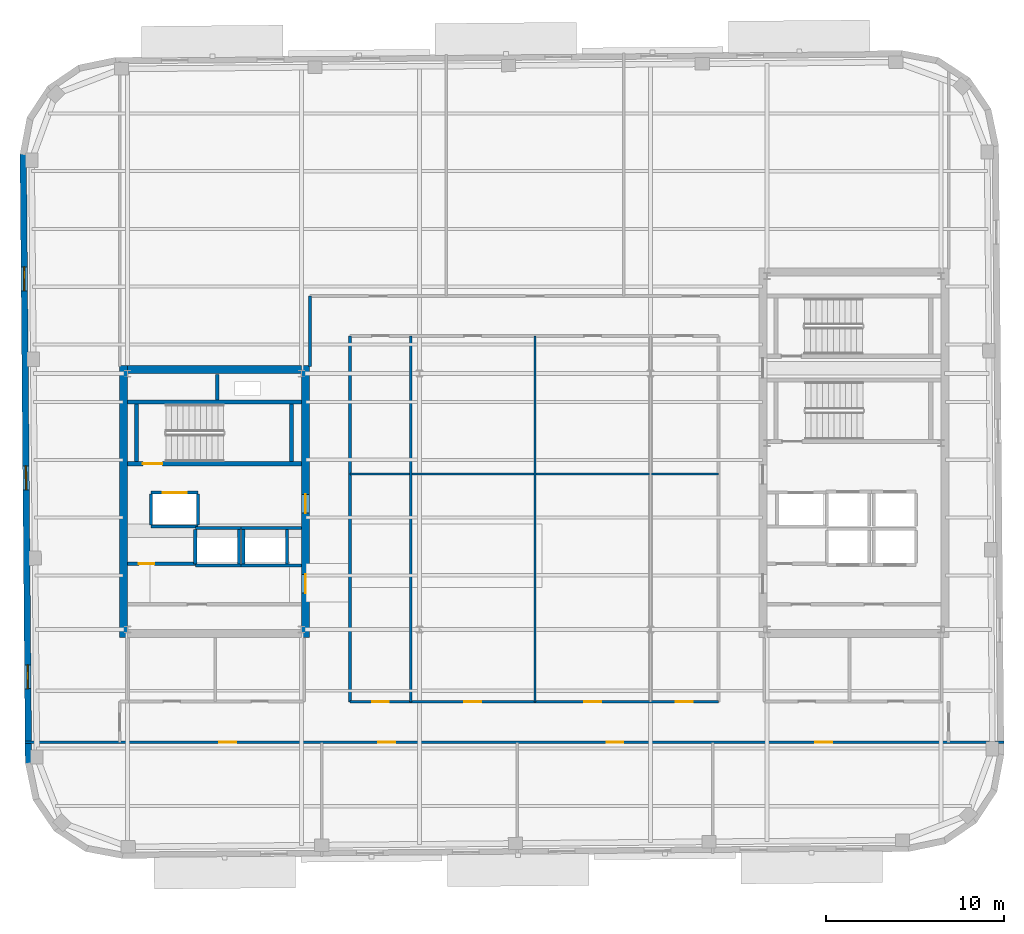
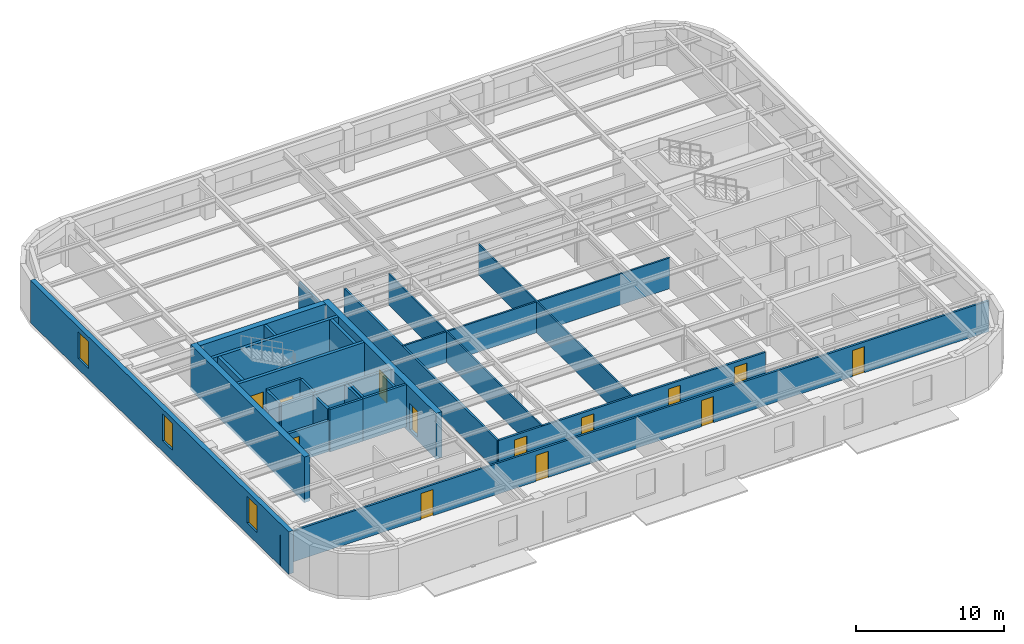
# One storey, part 7 of 14: 29 walls, 13 doors, 3 windows, 16 openings.
"""IFC4 building model written with IfcOpenShell, lengths in metres."""

from ifc_helpers import new_model, si_unit, direction, frame, frame_2d, origin, place, context, subcontext, project, spatial, rectangle, extrude, material, layer, layer_set, type_object, element, fill, save


model = new_model("IFC4")

# Units and contexts
model_context = context("Model", 3, precision=1e-05, world=origin(), true_north=direction((0.0, 1.0)))
body_context = subcontext(model_context, "Body", "Model", "MODEL_VIEW")
ifc_project = project(units=[si_unit("LENGTHUNIT", "METRE"), si_unit("AREAUNIT", "SQUARE_METRE"), si_unit("VOLUMEUNIT", "CUBIC_METRE"), si_unit("PLANEANGLEUNIT", "RADIAN"), si_unit("MASSUNIT", "GRAM", prefix="KILO")], contexts=[model_context])

# Site, building, storey
site_placement = place(None, origin())
site = spatial("IfcSite", under=ifc_project, at=site_placement, CompositionType="ELEMENT")
building_placement = place(site_placement, origin())
building = spatial("IfcBuilding", under=site, at=building_placement, Name="Kolvaren Arena Tower", CompositionType="ELEMENT")
storey_placement = place(building_placement, frame((0.0, 0.0, 289.89990234375)))
storey = spatial("IfcBuildingStorey", under=building, at=storey_placement, Name="L71", CompositionType="ELEMENT", Elevation=289.89990234375)

# Wall, openings, doors
ifc_material_1 = material(Name="Gypsum board acoustic assembly", Category="gypsum")
ifc_layer_1 = layer(ifc_material_1, 0.159912109375)
ifc_layer_set_1 = layer_set([ifc_layer_1], Name="Gypsum board acoustic assembly")
wall_type_1 = type_object("IfcWallType", Name="CORR-160", PredefinedType="PARTITIONING", material=ifc_layer_set_1)
wall_1_placement = place(storey_placement, frame((8.790283203125, 13.10009765625, 0.0), z_axis=(0.0, 0.0, 1.0), x_axis=(1.0, 0.0, 0.0)))
wall_1 = element("IfcWall", 1, at=wall_1_placement, inside=storey, type_object=wall_type_1, Name="Interior Partition Wall (L71)", PredefinedType="PARTITIONING", context=body_context, shape_type="SweptSolid", body=[
    extrude(rectangle(XDim=55.10205078125, YDim=0.159912109375, at=frame_2d((27.551025390625, 0.0))), origin(), (0.0, 0.0, 1.0), 2.5400390625),
])
opening_1_placement = place(wall_1_placement, frame((10.934814453125, 0.0, 0.0)))
opening_1 = element("IfcOpeningElement", 2, at=opening_1_placement, cuts=wall_1, Name="Opening D05", PredefinedType="OPENING", context=body_context, shape_type="SweptSolid", body=[
    extrude(rectangle(XDim=0.949951171875, YDim=2.14990234375, at=frame_2d((0.47509765625, 1.074951171875))), frame((0.0, 0.08984375, 0.0), z_axis=(0.0, -1.0, 0.0), x_axis=(1.0, 0.0, 0.0)), (0.0, 0.0, 1.0), 0.179931640625),
])
opening_2_placement = place(wall_1_placement, frame((19.884765625, 0.0, 0.0)))
opening_2 = element("IfcOpeningElement", 3, at=opening_2_placement, cuts=wall_1, Name="Opening D05", PredefinedType="OPENING", context=body_context, shape_type="SweptSolid", body=[
    extrude(rectangle(XDim=0.949951171875, YDim=2.14990234375, at=frame_2d((0.47509765625, 1.074951171875))), frame((0.0, 0.08984375, 0.0), z_axis=(0.0, -1.0, 0.0), x_axis=(1.0, 0.0, 0.0)), (0.0, 0.0, 1.0), 0.179931640625),
])
opening_3_placement = place(wall_1_placement, frame((32.734619140625, 0.0, 0.0)))
opening_3 = element("IfcOpeningElement", 4, at=opening_3_placement, cuts=wall_1, Name="Opening D05", PredefinedType="OPENING", context=body_context, shape_type="SweptSolid", body=[
    extrude(rectangle(XDim=0.949951171875, YDim=2.14990234375, at=frame_2d((0.47509765625, 1.074951171875))), frame((0.0, 0.08984375, 0.0), z_axis=(0.0, -1.0, 0.0), x_axis=(1.0, 0.0, 0.0)), (0.0, 0.0, 1.0), 0.179931640625),
])
opening_4_placement = place(wall_1_placement, frame((44.484619140625, 0.0, 0.0)))
opening_4 = element("IfcOpeningElement", 5, at=opening_4_placement, cuts=wall_1, Name="Opening D05", PredefinedType="OPENING", context=body_context, shape_type="SweptSolid", body=[
    extrude(rectangle(XDim=0.949951171875, YDim=2.14990234375, at=frame_2d((0.47509765625, 1.074951171875))), frame((0.0, 0.08984375, 0.0), z_axis=(0.0, -1.0, 0.0), x_axis=(1.0, 0.0, 0.0)), (0.0, 0.0, 1.0), 0.179931640625),
])
ifc_material_2 = material(Name="Solid-core oak acoustic office door", Category="wood")
door_type_1 = type_object("IfcDoorType", Name="DOOR-OF-095", OperationType="NOTDEFINED", PredefinedType="DOOR", material=ifc_material_2)
door_1_placement = place(opening_1_placement, origin())
door_1 = element("IfcDoor", 6, at=door_1_placement, inside=storey, type_object=door_type_1, Name="Open Plan Office Door (L71)", OperationType="SINGLE_SWING_LEFT", OverallHeight=2.14990234375, OverallWidth=0.949951171875, PredefinedType="DOOR", context=body_context, shape_type="SweptSolid", body=[
    extrude(rectangle(XDim=0.949951171875, YDim=2.14990234375, at=frame_2d((0.47509765625, 1.074951171875))), frame((0.0, 0.02490234375, 0.0), z_axis=(0.0, -1.0, 0.0), x_axis=(1.0, 0.0, 0.0)), (0.0, 0.0, 1.0), 0.050048828125),
])
fill(opening_1, door_1)
door_2_placement = place(opening_2_placement, origin())
door_2 = element("IfcDoor", 7, at=door_2_placement, inside=storey, type_object=door_type_1, Name="Open Plan Office Door (L71)", OperationType="SINGLE_SWING_RIGHT", OverallHeight=2.14990234375, OverallWidth=0.949951171875, PredefinedType="DOOR", context=body_context, shape_type="SweptSolid", body=[
    extrude(rectangle(XDim=0.949951171875, YDim=2.14990234375, at=frame_2d((0.47509765625, 1.074951171875))), frame((0.0, 0.02490234375, 0.0), z_axis=(0.0, -1.0, 0.0), x_axis=(1.0, 0.0, 0.0)), (0.0, 0.0, 1.0), 0.050048828125),
])
fill(opening_2, door_2)
door_3_placement = place(opening_3_placement, origin())
door_3 = element("IfcDoor", 8, at=door_3_placement, inside=storey, type_object=door_type_1, Name="Copy and Print Room Door (L71)", OperationType="SINGLE_SWING_LEFT", OverallHeight=2.14990234375, OverallWidth=0.949951171875, PredefinedType="DOOR", context=body_context, shape_type="SweptSolid", body=[
    extrude(rectangle(XDim=0.949951171875, YDim=2.14990234375, at=frame_2d((0.47509765625, 1.074951171875))), frame((0.0, 0.02490234375, 0.0), z_axis=(0.0, -1.0, 0.0), x_axis=(1.0, 0.0, 0.0)), (0.0, 0.0, 1.0), 0.050048828125),
])
fill(opening_3, door_3)
door_4_placement = place(opening_4_placement, origin())
door_4 = element("IfcDoor", 9, at=door_4_placement, inside=storey, type_object=door_type_1, Name="Design Studio Door (L71)", OperationType="SINGLE_SWING_RIGHT", OverallHeight=2.14990234375, OverallWidth=0.949951171875, PredefinedType="DOOR", context=body_context, shape_type="SweptSolid", body=[
    extrude(rectangle(XDim=0.949951171875, YDim=2.14990234375, at=frame_2d((0.47509765625, 1.074951171875))), frame((0.0, 0.02490234375, 0.0), z_axis=(0.0, -1.0, 0.0), x_axis=(1.0, 0.0, 0.0)), (0.0, 0.0, 1.0), 0.050048828125),
])
fill(opening_4, door_4)

# Wall
wall_2_placement = place(storey_placement, frame((24.820068359375, 34.25, 0.0), z_axis=(0.0, 0.0, 1.0), x_axis=(0.0, 1.0, 0.0)))
element("IfcWall", 10, at=wall_2_placement, inside=storey, type_object=wall_type_1, Name="Interior Partition Wall (L71)", PredefinedType="PARTITIONING", context=body_context, shape_type="SweptSolid", body=[
    extrude(rectangle(XDim=3.969970703125, YDim=0.159912109375, at=frame_2d((1.98486328125, 0.0))), origin(), (0.0, 0.0, 1.0), 2.5400390625),
])

# Wall, openings, doors
wall_3_placement = place(storey_placement, frame((27.080078125, 15.3798828125, 0.0), z_axis=(0.0, 0.0, 1.0), x_axis=(1.0, 0.0, 0.0)))
wall_3 = element("IfcWall", 11, at=wall_3_placement, inside=storey, type_object=wall_type_1, Name="Interior Partition Wall (L71)", PredefinedType="PARTITIONING", context=body_context, shape_type="SweptSolid", body=[
    extrude(rectangle(XDim=20.739990234375, YDim=0.159912109375, at=frame_2d((10.3701171875, 0.0))), origin(), (0.0, 0.0, 1.0), 2.5400390625),
])
opening_5_placement = place(wall_3_placement, frame((1.2451171875, 0.0, 0.0)))
opening_5 = element("IfcOpeningElement", 12, at=opening_5_placement, cuts=wall_3, Name="Opening D05", PredefinedType="OPENING", context=body_context, shape_type="SweptSolid", body=[
    extrude(rectangle(XDim=0.949951171875, YDim=2.14990234375, at=frame_2d((0.47509765625, 1.074951171875))), frame((0.0, 0.08984375, 0.0), z_axis=(0.0, -1.0, 0.0), x_axis=(1.0, 0.0, 0.0)), (0.0, 0.0, 1.0), 0.179931640625),
])
opening_6_placement = place(wall_3_placement, frame((6.445068359375, 0.0, 0.0)))
opening_6 = element("IfcOpeningElement", 13, at=opening_6_placement, cuts=wall_3, Name="Opening D05", PredefinedType="OPENING", context=body_context, shape_type="SweptSolid", body=[
    extrude(rectangle(XDim=0.949951171875, YDim=2.14990234375, at=frame_2d((0.47509765625, 1.074951171875))), frame((0.0, 0.08984375, 0.0), z_axis=(0.0, -1.0, 0.0), x_axis=(1.0, 0.0, 0.0)), (0.0, 0.0, 1.0), 0.179931640625),
])
opening_7_placement = place(wall_3_placement, frame((13.195068359375, 0.0, 0.0)))
opening_7 = element("IfcOpeningElement", 14, at=opening_7_placement, cuts=wall_3, Name="Opening D05", PredefinedType="OPENING", context=body_context, shape_type="SweptSolid", body=[
    extrude(rectangle(XDim=0.949951171875, YDim=2.14990234375, at=frame_2d((0.47509765625, 1.074951171875))), frame((0.0, 0.08984375, 0.0), z_axis=(0.0, -1.0, 0.0), x_axis=(1.0, 0.0, 0.0)), (0.0, 0.0, 1.0), 0.179931640625),
])
opening_8_placement = place(wall_3_placement, frame((18.344970703125, 0.0, 0.0)))
opening_8 = element("IfcOpeningElement", 15, at=opening_8_placement, cuts=wall_3, Name="Opening D05", PredefinedType="OPENING", context=body_context, shape_type="SweptSolid", body=[
    extrude(rectangle(XDim=0.949951171875, YDim=2.14990234375, at=frame_2d((0.47509765625, 1.074951171875))), frame((0.0, 0.08984375, 0.0), z_axis=(0.0, -1.0, 0.0), x_axis=(1.0, 0.0, 0.0)), (0.0, 0.0, 1.0), 0.179931640625),
])
door_5_placement = place(opening_5_placement, origin())
door_5 = element("IfcDoor", 16, at=door_5_placement, inside=storey, type_object=door_type_1, Name="Copy and Print Room Door (L71)", OperationType="SINGLE_SWING_LEFT", OverallHeight=2.14990234375, OverallWidth=0.949951171875, PredefinedType="DOOR", context=body_context, shape_type="SweptSolid", body=[
    extrude(rectangle(XDim=0.949951171875, YDim=2.14990234375, at=frame_2d((0.47509765625, 1.074951171875))), frame((0.0, 0.02490234375, 0.0), z_axis=(0.0, -1.0, 0.0), x_axis=(1.0, 0.0, 0.0)), (0.0, 0.0, 1.0), 0.050048828125),
])
fill(opening_5, door_5)
door_6_placement = place(opening_6_placement, origin())
door_6 = element("IfcDoor", 17, at=door_6_placement, inside=storey, type_object=door_type_1, Name="Boardroom Door (L71)", OperationType="SINGLE_SWING_LEFT", OverallHeight=2.14990234375, OverallWidth=0.949951171875, PredefinedType="DOOR", context=body_context, shape_type="SweptSolid", body=[
    extrude(rectangle(XDim=0.949951171875, YDim=2.14990234375, at=frame_2d((0.47509765625, 1.074951171875))), frame((0.0, 0.02490234375, 0.0), z_axis=(0.0, -1.0, 0.0), x_axis=(1.0, 0.0, 0.0)), (0.0, 0.0, 1.0), 0.050048828125),
])
fill(opening_6, door_6)
door_7_placement = place(opening_7_placement, origin())
door_7 = element("IfcDoor", 18, at=door_7_placement, inside=storey, type_object=door_type_1, Name="Open Plan Office Door (L71)", OperationType="SINGLE_SWING_LEFT", OverallHeight=2.14990234375, OverallWidth=0.949951171875, PredefinedType="DOOR", context=body_context, shape_type="SweptSolid", body=[
    extrude(rectangle(XDim=0.949951171875, YDim=2.14990234375, at=frame_2d((0.47509765625, 1.074951171875))), frame((0.0, 0.02490234375, 0.0), z_axis=(0.0, -1.0, 0.0), x_axis=(1.0, 0.0, 0.0)), (0.0, 0.0, 1.0), 0.050048828125),
])
fill(opening_7, door_7)
door_8_placement = place(opening_8_placement, origin())
door_8 = element("IfcDoor", 19, at=door_8_placement, inside=storey, type_object=door_type_1, Name="Copy and Print Room Door (L71)", OperationType="SINGLE_SWING_LEFT", OverallHeight=2.14990234375, OverallWidth=0.949951171875, PredefinedType="DOOR", context=body_context, shape_type="SweptSolid", body=[
    extrude(rectangle(XDim=0.949951171875, YDim=2.14990234375, at=frame_2d((0.47509765625, 1.074951171875))), frame((0.0, 0.02490234375, 0.0), z_axis=(0.0, -1.0, 0.0), x_axis=(1.0, 0.0, 0.0)), (0.0, 0.0, 1.0), 0.050048828125),
])
fill(opening_8, door_8)

# Walls
wall_4_placement = place(storey_placement, frame((27.080078125, 15.3798828125, 0.0), z_axis=(0.0, 0.0, 1.0), x_axis=(0.0, 1.0, 0.0)))
element("IfcWall", 20, at=wall_4_placement, inside=storey, type_object=wall_type_1, Name="Interior Partition Wall (L71)", PredefinedType="PARTITIONING", context=body_context, shape_type="SweptSolid", body=[
    extrude(rectangle(XDim=20.60009765625, YDim=0.159912109375, at=frame_2d((10.300048828125, 0.0))), origin(), (0.0, 0.0, 1.0), 2.5400390625),
])
ifc_material_3 = material(Name="Concrete 55 MPa", Category="concrete")
ifc_layer_2 = layer(ifc_material_3, 0.449951171875)
ifc_layer_set_2 = layer_set([ifc_layer_2], Name="Concrete 55 MPa")
wall_type_2 = type_object("IfcWallType", Name="CWALL-450", PredefinedType="SHEAR", material=ifc_layer_set_2)
wall_5_placement = place(storey_placement, frame((14.324951171875, 19.0, -0.27001953125), z_axis=(0.0, 0.0, 1.0), x_axis=(0.0, 1.0, 0.0)))
element("IfcWall", 21, at=wall_5_placement, inside=storey, type_object=wall_type_2, Name="Core Shear Wall WC-WEST (L71)", PredefinedType="SHEAR", context=body_context, shape_type="SweptSolid", body=[
    extrude(rectangle(XDim=15.300048828125, YDim=0.449951171875, at=frame_2d((7.64990234375, 0.0))), origin(), (0.0, 0.0, 1.0), 3.75),
])

# Wall, openings, doors
wall_6_placement = place(storey_placement, frame((24.574951171875, 19.0, -0.27001953125), z_axis=(0.0, 0.0, 1.0), x_axis=(0.0, 1.0, 0.0)))
wall_6 = element("IfcWall", 22, at=wall_6_placement, inside=storey, type_object=wall_type_2, Name="Core Shear Wall WC-EAST (L71)", PredefinedType="SHEAR", context=body_context, shape_type="SweptSolid", body=[
    extrude(rectangle(XDim=15.300048828125, YDim=0.449951171875, at=frame_2d((7.64990234375, 0.0))), origin(), (0.0, 0.0, 1.0), 3.75),
])
opening_9_placement = place(wall_6_placement, frame((2.5, 0.0, 0.27001953125)))
opening_9 = element("IfcOpeningElement", 23, at=opening_9_placement, cuts=wall_6, Name="Opening D04", PredefinedType="OPENING", context=body_context, shape_type="SweptSolid", body=[
    extrude(rectangle(XDim=1.050048828125, YDim=2.14990234375, at=frame_2d((0.52490234375, 1.074951171875))), frame((0.0, 0.23486328125, 0.0), z_axis=(0.0, -1.0, 0.0), x_axis=(1.0, 0.0, 0.0)), (0.0, 0.0, 1.0), 0.469970703125),
])
opening_10_placement = place(wall_6_placement, frame((7.0, 0.0, 0.27001953125)))
opening_10 = element("IfcOpeningElement", 24, at=opening_10_placement, cuts=wall_6, Name="Opening D04", PredefinedType="OPENING", context=body_context, shape_type="SweptSolid", body=[
    extrude(rectangle(XDim=1.050048828125, YDim=2.14990234375, at=frame_2d((0.52490234375, 1.074951171875))), frame((0.0, 0.23486328125, 0.0), z_axis=(0.0, -1.0, 0.0), x_axis=(1.0, 0.0, 0.0)), (0.0, 0.0, 1.0), 0.469970703125),
])
ifc_material_4 = material(Name="Fire-rated steel lobby door", Category="steel")
door_type_2 = type_object("IfcDoorType", Name="DOOR-FF-105", OperationType="NOTDEFINED", PredefinedType="DOOR", material=ifc_material_4)
door_9_placement = place(opening_9_placement, origin())
door_9 = element("IfcDoor", 25, at=door_9_placement, inside=storey, type_object=door_type_2, Name="West Lift Lobby Fire Door (L71)", OperationType="SINGLE_SWING_LEFT", OverallHeight=2.14990234375, OverallWidth=1.050048828125, PredefinedType="DOOR", context=body_context, shape_type="SweptSolid", body=[
    extrude(rectangle(XDim=1.050048828125, YDim=2.14990234375, at=frame_2d((0.52490234375, 1.074951171875))), frame((0.0, 0.02490234375, 0.0), z_axis=(0.0, -1.0, 0.0), x_axis=(1.0, 0.0, 0.0)), (0.0, 0.0, 1.0), 0.050048828125),
])
fill(opening_9, door_9)
door_10_placement = place(opening_10_placement, origin())
door_10 = element("IfcDoor", 26, at=door_10_placement, inside=storey, type_object=door_type_2, Name="West Firefighter Vestibule Door (L71)", OperationType="SINGLE_SWING_RIGHT", OverallHeight=2.14990234375, OverallWidth=1.050048828125, PredefinedType="DOOR", context=body_context, shape_type="SweptSolid", body=[
    extrude(rectangle(XDim=1.050048828125, YDim=2.14990234375, at=frame_2d((0.52490234375, 1.074951171875))), frame((0.0, 0.02490234375, 0.0), z_axis=(0.0, -1.0, 0.0), x_axis=(1.0, 0.0, 0.0)), (0.0, 0.0, 1.0), 0.050048828125),
])
fill(opening_10, door_10)

# Wall
wall_7_placement = place(storey_placement, frame((14.550048828125, 34.074951171875, -0.27001953125), z_axis=(0.0, 0.0, 1.0), x_axis=(1.0, 0.0, 0.0)))
element("IfcWall", 27, at=wall_7_placement, inside=storey, type_object=wall_type_2, Name="Core Shear Wall WC-NORTH (L71)", PredefinedType="SHEAR", context=body_context, shape_type="SweptSolid", body=[
    extrude(rectangle(XDim=9.800048828125, YDim=0.449951171875, at=frame_2d((4.89990234375, 0.0))), origin(), (0.0, 0.0, 1.0), 3.75),
])

# Wall, openings, windows
ifc_material_5 = material(Name="Precast concrete C50/60", Category="concrete")
ifc_layer_3 = layer(ifc_material_5, 0.360107421875)
ifc_layer_set_3 = layer_set([ifc_layer_3], Name="Precast concrete C50/60")
wall_type_3 = type_object("IfcWallType", Name="EXT-PIER2", PredefinedType="SOLIDWALL", material=ifc_layer_set_3)
wall_8_placement = place(storey_placement, frame((8.980712890625, 11.911865234375, 0.0), z_axis=(0.0, 0.0, 1.0), x_axis=(-0.008726453825, 0.999961923777, 0.0)))
wall_8 = element("IfcWall", 28, at=wall_8_placement, inside=storey, type_object=wall_type_3, Name="Exterior Precast Masonry-Frame Wall (L71)", PredefinedType="SOLIDWALL", context=body_context, shape_type="SweptSolid", body=[
    extrude(rectangle(XDim=34.2998046875, YDim=0.360107421875, at=frame_2d((17.14990234375, 0.0))), origin(), (0.0, 0.0, 1.0), 3.47998046875),
])
opening_11_placement = place(wall_8_placement, frame((4.199951171875, 0.0, 0.8798828125)))
opening_11 = element("IfcOpeningElement", 29, at=opening_11_placement, cuts=wall_8, Name="Opening W04", PredefinedType="OPENING", context=body_context, shape_type="SweptSolid", body=[
    extrude(rectangle(XDim=1.35009765625, YDim=2.199951171875, at=frame_2d((0.675048828125, 1.10009765625))), frame((0.0, 0.18994140625, 0.0), z_axis=(0.0, -1.0, 0.0), x_axis=(1.0, 0.0, 0.0)), (0.0, 0.0, 1.0), 0.380126953125),
])
opening_12_placement = place(wall_8_placement, frame((15.39990234375, 0.0, 0.8798828125)))
opening_12 = element("IfcOpeningElement", 30, at=opening_12_placement, cuts=wall_8, Name="Opening W04", PredefinedType="OPENING", context=body_context, shape_type="SweptSolid", body=[
    extrude(rectangle(XDim=1.35009765625, YDim=2.199951171875, at=frame_2d((0.675048828125, 1.10009765625))), frame((0.0, 0.18994140625, 0.0), z_axis=(0.0, -1.0, 0.0), x_axis=(1.0, 0.0, 0.0)), (0.0, 0.0, 1.0), 0.380126953125),
])
opening_13_placement = place(wall_8_placement, frame((26.60009765625, 0.0, 0.8798828125)))
opening_13 = element("IfcOpeningElement", 31, at=opening_13_placement, cuts=wall_8, Name="Opening W04", PredefinedType="OPENING", context=body_context, shape_type="SweptSolid", body=[
    extrude(rectangle(XDim=1.35009765625, YDim=2.199951171875, at=frame_2d((0.675048828125, 1.10009765625))), frame((0.0, 0.18994140625, 0.0), z_axis=(0.0, -1.0, 0.0), x_axis=(1.0, 0.0, 0.0)), (0.0, 0.0, 1.0), 0.380126953125),
])
ifc_material_6 = material(Name="Triple-glazed curved-facet corner window", Category="glass")
window_type = type_object("IfcWindowType", Name="WIN-CRN-A", PartitioningType="SINGLE_PANEL", PredefinedType="WINDOW", material=ifc_material_6)
window_1_placement = place(opening_11_placement, origin())
window_1 = element("IfcWindow", 32, at=window_1_placement, inside=storey, type_object=window_type, Name="End-Wall Punched Window (L71)", OverallHeight=2.199951171875, OverallWidth=1.35009765625, PartitioningType="SINGLE_PANEL", PredefinedType="WINDOW", context=body_context, shape_type="SweptSolid", body=[
    extrude(rectangle(XDim=1.35009765625, YDim=2.199951171875, at=frame_2d((0.675048828125, 1.10009765625))), frame((0.0, 0.030029296875, 0.0), z_axis=(0.0, -1.0, 0.0), x_axis=(1.0, 0.0, 0.0)), (0.0, 0.0, 1.0), 0.06005859375),
])
fill(opening_11, window_1)
window_2_placement = place(opening_12_placement, origin())
window_2 = element("IfcWindow", 33, at=window_2_placement, inside=storey, type_object=window_type, Name="End-Wall Punched Window (L71)", OverallHeight=2.199951171875, OverallWidth=1.35009765625, PartitioningType="SINGLE_PANEL", PredefinedType="WINDOW", context=body_context, shape_type="SweptSolid", body=[
    extrude(rectangle(XDim=1.35009765625, YDim=2.199951171875, at=frame_2d((0.675048828125, 1.10009765625))), frame((0.0, 0.030029296875, 0.0), z_axis=(0.0, -1.0, 0.0), x_axis=(1.0, 0.0, 0.0)), (0.0, 0.0, 1.0), 0.06005859375),
])
fill(opening_12, window_2)
window_3_placement = place(opening_13_placement, origin())
window_3 = element("IfcWindow", 34, at=window_3_placement, inside=storey, type_object=window_type, Name="End-Wall Punched Window (L71)", OverallHeight=2.199951171875, OverallWidth=1.35009765625, PartitioningType="SINGLE_PANEL", PredefinedType="WINDOW", context=body_context, shape_type="SweptSolid", body=[
    extrude(rectangle(XDim=1.35009765625, YDim=2.199951171875, at=frame_2d((0.675048828125, 1.10009765625))), frame((0.0, 0.030029296875, 0.0), z_axis=(0.0, -1.0, 0.0), x_axis=(1.0, 0.0, 0.0)), (0.0, 0.0, 1.0), 0.06005859375),
])
fill(opening_13, window_3)

# Wall, opening, door
ifc_material_7 = material(Name="Concrete 40 MPa", Category="concrete")
ifc_layer_4 = layer(ifc_material_7, 0.199951171875)
ifc_layer_set_4 = layer_set([ifc_layer_4], Name="Concrete 40 MPa")
wall_type_4 = type_object("IfcWallType", Name="LOBBY-200", PredefinedType="SOLIDWALL", material=ifc_layer_set_4)
wall_9_placement = place(storey_placement, frame((14.550048828125, 23.159912109375, 0.0), z_axis=(0.0, 0.0, 1.0), x_axis=(1.0, 0.0, 0.0)))
wall_9 = element("IfcWall", 35, at=wall_9_placement, inside=storey, type_object=wall_type_4, Name="Core Shaft Wall (L71)", PredefinedType="SOLIDWALL", context=body_context, shape_type="SweptSolid", body=[
    extrude(rectangle(XDim=3.820068359375, YDim=0.199951171875, at=frame_2d((1.91015625, 0.0))), origin(), (0.0, 0.0, 1.0), 2.5400390625),
])
opening_14_placement = place(wall_9_placement, frame((0.64990234375, 0.0, 0.0)))
opening_14 = element("IfcOpeningElement", 36, at=opening_14_placement, cuts=wall_9, Name="Opening D09", PredefinedType="OPENING", context=body_context, shape_type="SweptSolid", body=[
    extrude(rectangle(XDim=0.860107421875, YDim=2.050048828125, at=frame_2d((0.43017578125, 1.02490234375))), frame((0.0, 0.10986328125, 0.0), z_axis=(0.0, -1.0, 0.0), x_axis=(1.0, 0.0, 0.0)), (0.0, 0.0, 1.0), 0.219970703125),
])
ifc_material_8 = material(Name="Fire-rated steel riser access door", Category="steel")
door_type_3 = type_object("IfcDoorType", Name="DOOR-RS-086", OperationType="NOTDEFINED", PredefinedType="DOOR", material=ifc_material_8)
door_11_placement = place(opening_14_placement, origin())
door_11 = element("IfcDoor", 37, at=door_11_placement, inside=storey, type_object=door_type_3, Name="West Document Archive Riser Door (L71)", OperationType="SINGLE_SWING_RIGHT", OverallHeight=2.050048828125, OverallWidth=0.860107421875, PredefinedType="DOOR", context=body_context, shape_type="SweptSolid", body=[
    extrude(rectangle(XDim=0.860107421875, YDim=2.050048828125, at=frame_2d((0.43017578125, 1.02490234375))), frame((0.0, 0.02490234375, 0.0), z_axis=(0.0, -1.0, 0.0), x_axis=(1.0, 0.0, 0.0)), (0.0, 0.0, 1.0), 0.050048828125),
])
fill(opening_14, door_11)

# Walls
ifc_material_9 = material(Name="Gypsum board partition assembly", Category="gypsum")
ifc_layer_5 = layer(ifc_material_9, 0.114990234375)
ifc_layer_set_5 = layer_set([ifc_layer_5], Name="Gypsum board partition assembly")
wall_type_5 = type_object("IfcWallType", Name="PART-115", PredefinedType="PARTITIONING", material=ifc_layer_set_5)
for number, where, z_axis, x_axis, name in (
    (38, (30.5, 15.3798828125, 0.0), (0.0, 0.0, 1.0), (0.0, 1.0, 0.0), "Interior Partition Wall (L71)"),
    (39, (37.5, 15.3798828125, 0.0), (0.0, 0.0, 1.0), (0.0, 1.0, 0.0), "Interior Partition Wall (L71)"),
):
    element("IfcWall", number, at=place(storey_placement, frame(where, z_axis=z_axis, x_axis=x_axis)), inside=storey, type_object=wall_type_5, Name=name, PredefinedType="PARTITIONING", context=body_context, shape_type="SweptSolid", body=[
        extrude(rectangle(XDim=20.60009765625, YDim=0.114990234375, at=frame_2d((10.300048828125, 0.0))), origin(), (0.0, 0.0, 1.0), 2.5400390625),
    ])
ifc_layer_6 = layer(ifc_material_9, 0.135009765625)
ifc_layer_set_6 = layer_set([ifc_layer_6], Name="Gypsum board partition assembly")
wall_type_6 = type_object("IfcWallType", Name="PART-135", PredefinedType="PARTITIONING", material=ifc_layer_set_6)
wall_10_placement = place(storey_placement, frame((27.080078125, 28.199951171875, 0.0), z_axis=(0.0, 0.0, 1.0), x_axis=(1.0, 0.0, 0.0)))
element("IfcWall", 40, at=wall_10_placement, inside=storey, type_object=wall_type_6, Name="Interior Partition Wall (L71)", PredefinedType="PARTITIONING", context=body_context, shape_type="SweptSolid", body=[
    extrude(rectangle(XDim=20.739990234375, YDim=0.135009765625, at=frame_2d((10.3701171875, 0.0))), origin(), (0.0, 0.0, 1.0), 2.5400390625),
])

# Wall, opening, door
ifc_material_10 = material(Name="Concrete 45 MPa", Category="concrete")
ifc_layer_7 = layer(ifc_material_10, 0.25)
ifc_layer_set_7 = layer_set([ifc_layer_7], Name="Concrete 45 MPa")
wall_type_7 = type_object("IfcWallType", Name="SHAFT-250", PredefinedType="SOLIDWALL", material=ifc_layer_set_7)
wall_11_placement = place(storey_placement, frame((24.35009765625, 28.780029296875, 0.0), z_axis=(0.0, 0.0, 1.0), x_axis=(-1.0, 0.0, 0.0)))
wall_11 = element("IfcWall", 41, at=wall_11_placement, inside=storey, type_object=wall_type_7, Name="Core Shaft Wall (L71)", PredefinedType="SOLIDWALL", context=body_context, shape_type="SweptSolid", body=[
    extrude(rectangle(XDim=9.800048828125, YDim=0.239990234375, at=frame_2d((4.89990234375, 0.0))), origin(), (0.0, 0.0, 1.0), 3.47998046875),
])
opening_15_placement = place(wall_11_placement, frame((7.830078125, 0.0, 0.0)))
opening_15 = element("IfcOpeningElement", 42, at=opening_15_placement, cuts=wall_11, Name="Opening D03", PredefinedType="OPENING", context=body_context, shape_type="SweptSolid", body=[
    extrude(rectangle(XDim=1.10009765625, YDim=2.14990234375, at=frame_2d((0.550048828125, 1.074951171875))), frame((0.0, 0.1298828125, 0.0), z_axis=(0.0, -1.0, 0.0), x_axis=(1.0, 0.0, 0.0)), (0.0, 0.0, 1.0), 0.260009765625),
])
ifc_material_11 = material(Name="Fire-rated steel exit stair door", Category="steel")
door_type_4 = type_object("IfcDoorType", Name="DOOR-ST-110", OperationType="NOTDEFINED", PredefinedType="DOOR", material=ifc_material_11)
door_12_placement = place(opening_15_placement, origin())
door_12 = element("IfcDoor", 43, at=door_12_placement, inside=storey, type_object=door_type_4, Name="Stair ST-W1 Fire Door (L71)", OperationType="SINGLE_SWING_RIGHT", OverallHeight=2.14990234375, OverallWidth=1.10009765625, PredefinedType="DOOR", context=body_context, shape_type="SweptSolid", body=[
    extrude(rectangle(XDim=1.10009765625, YDim=2.14990234375, at=frame_2d((0.550048828125, 1.074951171875))), frame((0.0, 0.02490234375, 0.0), z_axis=(0.0, -1.0, 0.0), x_axis=(1.0, 0.0, 0.0)), (0.0, 0.0, 1.0), 0.050048828125),
])
fill(opening_15, door_12)

# Walls
wall_12_placement = place(storey_placement, frame((14.550048828125, 32.25, 0.0), z_axis=(0.0, 0.0, 1.0), x_axis=(1.0, 0.0, 0.0)))
element("IfcWall", 44, at=wall_12_placement, inside=storey, type_object=wall_type_7, Name="Core Shaft Wall (L71)", PredefinedType="SOLIDWALL", context=body_context, shape_type="SweptSolid", body=[
    extrude(rectangle(XDim=9.800048828125, YDim=0.239990234375, at=frame_2d((4.89990234375, 0.0))), origin(), (0.0, 0.0, 1.0), 3.47998046875),
])
for number, where, z_axis, x_axis, name in (
    (45, (15.06005859375, 28.89990234375, 0.0), (0.0, 0.0, 1.0), (0.0, 1.0, 0.0), "Core Shaft Wall (L71)"),
    (46, (23.780029296875, 28.89990234375, 0.0), (0.0, 0.0, 1.0), (0.0, 1.0, 0.0), "Core Shaft Wall (L71)"),
):
    element("IfcWall", number, at=place(storey_placement, frame(where, z_axis=z_axis, x_axis=x_axis)), inside=storey, type_object=wall_type_7, Name=name, PredefinedType="SOLIDWALL", context=body_context, shape_type="SweptSolid", body=[
        extrude(rectangle(XDim=3.22998046875, YDim=0.239990234375, at=frame_2d((1.614990234375, 0.0))), origin(), (0.0, 0.0, 1.0), 3.47998046875),
    ])
wall_13_placement = place(storey_placement, frame((19.60009765625, 32.3701171875, 0.0), z_axis=(0.0, 0.0, 1.0), x_axis=(0.0, 1.0, 0.0)))
element("IfcWall", 47, at=wall_13_placement, inside=storey, type_object=wall_type_7, Name="Core Shaft Wall (L71)", PredefinedType="SOLIDWALL", context=body_context, shape_type="SweptSolid", body=[
    extrude(rectangle(XDim=1.429931640625, YDim=0.199951171875, at=frame_2d((0.71484375, 0.0))), origin(), (0.0, 0.0, 1.0), 3.47998046875),
])
for number, where, z_axis, x_axis, name in (
    (48, (18.3701171875, 25.155029296875, 0.0), (0.0, 0.0, 1.0), (1.0, 0.0, 0.0), "Core Shaft Wall (L71)"),
    (49, (18.3701171875, 23.044921875, 0.0), (0.0, 0.0, 1.0), (1.0, 0.0, 0.0), "Core Shaft Wall (L71)"),
):
    element("IfcWall", number, at=place(storey_placement, frame(where, z_axis=z_axis, x_axis=x_axis)), inside=storey, type_object=wall_type_7, Name=name, PredefinedType="SOLIDWALL", context=body_context, shape_type="SweptSolid", body=[
        extrude(rectangle(XDim=2.579833984375, YDim=0.179931640625, at=frame_2d((1.2900390625, 0.0))), origin(), (0.0, 0.0, 1.0), 3.47998046875),
    ])
for number, where, z_axis, x_axis, name in (
    (50, (18.3701171875, 23.135009765625, 0.0), (0.0, 0.0, 1.0), (0.0, 1.0, 0.0), "Core Shaft Wall (L71)"),
    (51, (20.830078125, 23.135009765625, 0.0), (0.0, 0.0, 1.0), (0.0, 1.0, 0.0), "Core Shaft Wall (L71)"),
):
    element("IfcWall", number, at=place(storey_placement, frame(where, z_axis=z_axis, x_axis=x_axis)), inside=storey, type_object=wall_type_7, Name=name, PredefinedType="SOLIDWALL", context=body_context, shape_type="SweptSolid", body=[
        extrude(rectangle(XDim=1.929931640625, YDim=0.179931640625, at=frame_2d((0.96484375, 0.0))), origin(), (0.0, 0.0, 1.0), 3.47998046875),
    ])
for number, where, z_axis, x_axis, name in (
    (52, (20.949951171875, 25.155029296875, 0.0), (0.0, 0.0, 1.0), (1.0, 0.0, 0.0), "Core Shaft Wall (L71)"),
    (53, (20.949951171875, 23.044921875, 0.0), (0.0, 0.0, 1.0), (1.0, 0.0, 0.0), "Core Shaft Wall (L71)"),
):
    element("IfcWall", number, at=place(storey_placement, frame(where, z_axis=z_axis, x_axis=x_axis)), inside=storey, type_object=wall_type_7, Name=name, PredefinedType="SOLIDWALL", context=body_context, shape_type="SweptSolid", body=[
        extrude(rectangle(XDim=3.400146484375, YDim=0.179931640625, at=frame_2d((1.7001953125, 0.0))), origin(), (0.0, 0.0, 1.0), 3.47998046875),
    ])
for number, where, z_axis, x_axis, name in (
    (54, (21.070068359375, 23.135009765625, 0.0), (0.0, 0.0, 1.0), (0.0, 1.0, 0.0), "Core Shaft Wall (L71)"),
    (55, (23.530029296875, 23.135009765625, 0.0), (0.0, 0.0, 1.0), (0.0, 1.0, 0.0), "Core Shaft Wall (L71)"),
):
    element("IfcWall", number, at=place(storey_placement, frame(where, z_axis=z_axis, x_axis=x_axis)), inside=storey, type_object=wall_type_7, Name=name, PredefinedType="SOLIDWALL", context=body_context, shape_type="SweptSolid", body=[
        extrude(rectangle(XDim=1.929931640625, YDim=0.179931640625, at=frame_2d((0.96484375, 0.0))), origin(), (0.0, 0.0, 1.0), 3.47998046875),
    ])

# Wall, opening, door
wall_14_placement = place(storey_placement, frame((15.8701171875, 27.155029296875, 0.0), z_axis=(0.0, 0.0, 1.0), x_axis=(1.0, 0.0, 0.0)))
wall_14 = element("IfcWall", 56, at=wall_14_placement, inside=storey, type_object=wall_type_7, Name="Core Shaft Wall (L71)", PredefinedType="SOLIDWALL", context=body_context, shape_type="SweptSolid", body=[
    extrude(rectangle(XDim=2.659912109375, YDim=0.179931640625, at=frame_2d((1.330078125, 0.0))), origin(), (0.0, 0.0, 1.0), 3.47998046875),
])
opening_16_placement = place(wall_14_placement, frame((0.655029296875, 0.0, 0.0)))
opening_16 = element("IfcOpeningElement", 57, at=opening_16_placement, cuts=wall_14, Name="Opening LD2", PredefinedType="OPENING", context=body_context, shape_type="SweptSolid", body=[
    extrude(rectangle(XDim=1.35009765625, YDim=2.300048828125, at=frame_2d((0.675048828125, 1.14990234375))), frame((0.0, 0.099853515625, 0.0), z_axis=(0.0, -1.0, 0.0), x_axis=(1.0, 0.0, 0.0)), (0.0, 0.0, 1.0), 0.199951171875),
])
ifc_material_12 = material(Name="Stainless steel firefighter lift landing door", Category="steel")
door_type_5 = type_object("IfcDoorType", Name="DOOR-LD-135", OperationType="DOUBLE_DOOR_SLIDING", PredefinedType="DOOR", material=ifc_material_12)
door_13_placement = place(opening_16_placement, origin())
door_13 = element("IfcDoor", 58, at=door_13_placement, inside=storey, type_object=door_type_5, Name="Firefighter Lift FF-W1 Landing Door (L71)", OperationType="DOUBLE_DOOR_SLIDING", OverallHeight=2.300048828125, OverallWidth=1.35009765625, PredefinedType="DOOR", context=body_context, shape_type="SweptSolid", body=[
    extrude(rectangle(XDim=1.35009765625, YDim=2.300048828125, at=frame_2d((0.675048828125, 1.14990234375))), frame((0.0, 0.02490234375, 0.0), z_axis=(0.0, -1.0, 0.0), x_axis=(1.0, 0.0, 0.0)), (0.0, 0.0, 1.0), 0.050048828125),
])
fill(opening_16, door_13)

# Walls
wall_15_placement = place(storey_placement, frame((15.8701171875, 25.2451171875, 0.0), z_axis=(0.0, 0.0, 1.0), x_axis=(1.0, 0.0, 0.0)))
element("IfcWall", 59, at=wall_15_placement, inside=storey, type_object=wall_type_7, Name="Core Shaft Wall (L71)", PredefinedType="SOLIDWALL", context=body_context, shape_type="SweptSolid", body=[
    extrude(rectangle(XDim=2.659912109375, YDim=0.179931640625, at=frame_2d((1.330078125, 0.0))), origin(), (0.0, 0.0, 1.0), 3.47998046875),
])
for number, where, z_axis, x_axis, name in (
    (60, (15.8701171875, 25.3349609375, 0.0), (0.0, 0.0, 1.0), (0.0, 1.0, 0.0), "Core Shaft Wall (L71)"),
    (61, (18.530029296875, 25.3349609375, 0.0), (0.0, 0.0, 1.0), (0.0, 1.0, 0.0), "Core Shaft Wall (L71)"),
):
    element("IfcWall", number, at=place(storey_placement, frame(where, z_axis=z_axis, x_axis=x_axis)), inside=storey, type_object=wall_type_7, Name=name, PredefinedType="SOLIDWALL", context=body_context, shape_type="SweptSolid", body=[
        extrude(rectangle(XDim=1.72998046875, YDim=0.179931640625, at=frame_2d((0.864990234375, 0.0))), origin(), (0.0, 0.0, 1.0), 3.47998046875),
    ])

save(model, "model.ifc")
